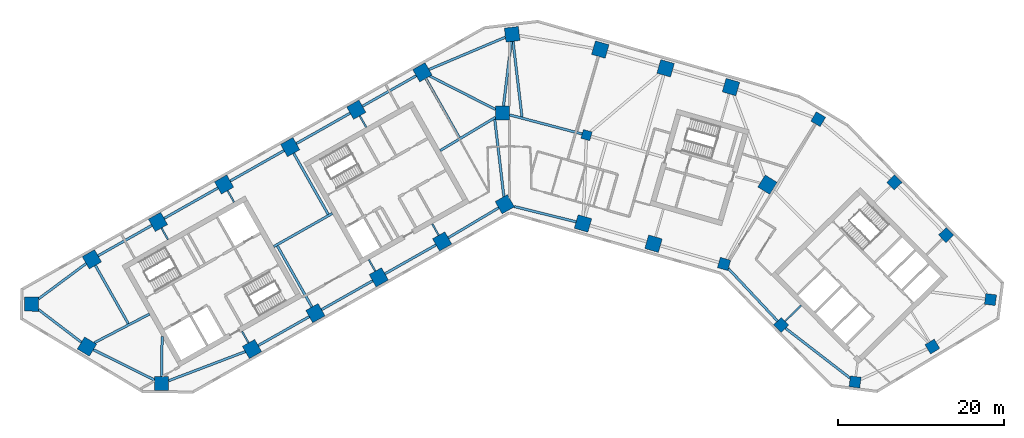
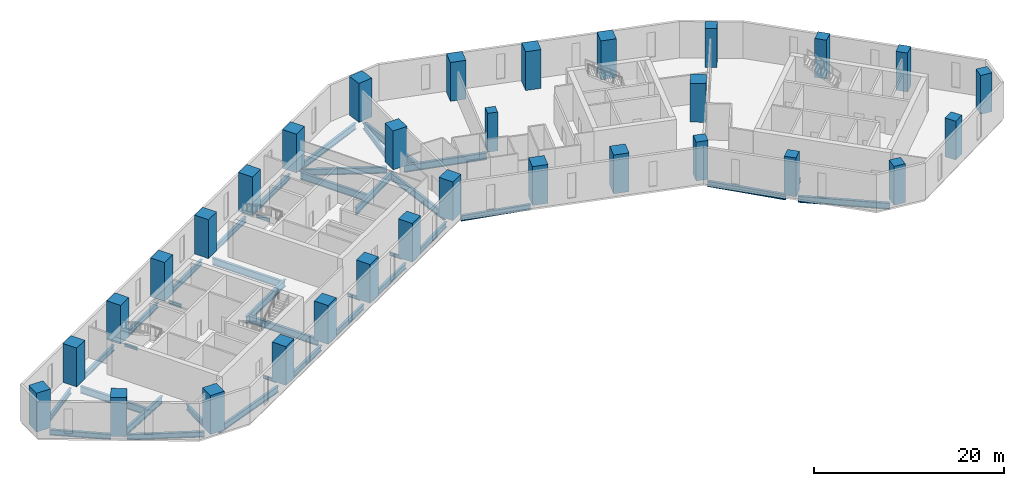
# One storey, part 1 of 10: 37 beams, 31 columns.
"""IFC4 building model written with IfcOpenShell, lengths in metres."""

import ifcopenshell
import ifcopenshell.guid

model = None  # the IFC model being written
_history = None  # IfcOwnerHistory: only IFC2X3 demands one
_inside = {}  # id of a spatial element -> (the spatial element, [elements in it])
_under = {}  # id of a project, library or spatial element -> (it, [spatial elements below it])
_declared = {}  # id of a project -> (the project, [libraries it declares])
_typed = {}  # id of a type object -> (the type object, [elements of that type])
_made_of = {}  # id of a material, layer set ... -> (it, [elements and type objects made of it])


def new_model(schema):
    """Start an empty IFC model of exactly this schema.

    Asked for "IFC4X3", IfcOpenShell would pick the latest addendum, in which some entities
    have other attributes; the version numbers below select the first issue.
    IFC2X3 requires an IfcOwnerHistory on every rooted entity: one is made here for all.
    """
    global model, _history
    if schema == "IFC4X3":
        model = ifcopenshell.file(schema_version=(4, 3, 0, 0))
    else:
        model = ifcopenshell.file(schema=schema)
    _inside.clear()
    _under.clear()
    _declared.clear()
    _typed.clear()
    _made_of.clear()
    _history = None
    if model.schema == "IFC2X3":
        org = make("IfcOrganization", Name="unknown")
        user = make(
            "IfcPersonAndOrganization",
            ThePerson=make("IfcPerson", FamilyName="unknown"),
            TheOrganization=org,
        )
        app = make(
            "IfcApplication",
            ApplicationDeveloper=org,
            Version="unknown",
            ApplicationFullName="unknown",
            ApplicationIdentifier="unknown",
        )
        _history = make(
            "IfcOwnerHistory",
            OwningUser=user,
            OwningApplication=app,
            ChangeAction="ADDED",
            CreationDate=0,
        )
    return model


def make(cls, **values):
    """One entity of the class cls with the attributes given. An attribute that is None is left unset."""
    return model.create_entity(
        cls, **{name: value for name, value in values.items() if value is not None}
    )


def rooted(cls, **values):
    """An entity with a GlobalId (a new one), such as an element, a storey or a relation."""
    return make(cls, GlobalId=ifcopenshell.guid.new(), OwnerHistory=_history, **values)


def si_unit(unit_type, name, prefix=None):
    """IfcSIUnit, for example si_unit("LENGTHUNIT", "METRE", prefix="MILLI")."""
    return make("IfcSIUnit", UnitType=unit_type, Prefix=prefix, Name=name)


def assignment(units):
    """IfcUnitAssignment: the units of a project."""
    return None if units is None else make("IfcUnitAssignment", Units=units)


def point(xyz):
    """IfcCartesianPoint."""
    return None if xyz is None else make("IfcCartesianPoint", Coordinates=xyz)


def direction(xyz):
    """IfcDirection."""
    return None if xyz is None else make("IfcDirection", DirectionRatios=xyz)


def frame(location, z_axis=None, x_axis=None):
    """IfcAxis2Placement3D, a coordinate frame: its origin and axes. An axis left out is left unset."""
    return make(
        "IfcAxis2Placement3D",
        Location=point(location),
        Axis=direction(z_axis),
        RefDirection=direction(x_axis),
    )


def frame_2d(location, x_axis=None):
    """IfcAxis2Placement2D, a coordinate frame in the plane: its origin and x axis."""
    return make(
        "IfcAxis2Placement2D", Location=point(location), RefDirection=direction(x_axis)
    )


def origin():
    """The frame at (0, 0, 0) with its axes left unset."""
    return frame((0.0, 0.0, 0.0))


def origin_2d():
    """The frame at (0, 0) in the plane with its x axis left unset."""
    return frame_2d((0.0, 0.0))


def place(relative_to, where):
    """IfcLocalPlacement: puts the frame where relative to a parent placement (None: the world)."""
    return make(
        "IfcLocalPlacement", PlacementRelTo=relative_to, RelativePlacement=where
    )


def context(
    kind, dimensions, precision=None, world=None, true_north=None, identifier=None
):
    """IfcGeometricRepresentationContext, for example the 3D "Model" context."""
    return make(
        "IfcGeometricRepresentationContext",
        ContextIdentifier=identifier,
        ContextType=kind,
        CoordinateSpaceDimension=dimensions,
        Precision=precision,
        WorldCoordinateSystem=world,
        TrueNorth=true_north,
    )


def subcontext(parent, identifier, kind, view, scale=None):
    """IfcGeometricRepresentationSubContext, for example "Body" below "Model"."""
    return make(
        "IfcGeometricRepresentationSubContext",
        ContextIdentifier=identifier,
        ContextType=kind,
        ParentContext=parent,
        TargetScale=scale,
        TargetView=view,
    )


def project(units=None, contexts=None):
    """IfcProject with its units and contexts."""
    return rooted(
        "IfcProject",
        Name="project",
        RepresentationContexts=contexts,
        UnitsInContext=assignment(units),
    )


def spatial(cls, under=None, at=None, **own):
    """A site, building, storey or space (cls), placed at a placement, below another one or the project."""
    s = rooted(cls, ObjectPlacement=at, **own)
    if under is not None:
        _under.setdefault(under.id(), (under, []))[1].append(s)
    return s


def profile(cls, at=None, kind="AREA", **sizes):
    """A parametric profile (cls). Its sizes go by their IFC names, for example OverallWidth=200.0."""
    return make(cls, ProfileType=kind, Position=at, **sizes)


def rectangle(**sizes):
    """IfcRectangleProfileDef."""
    return profile("IfcRectangleProfileDef", **sizes)


def i_section(**sizes):
    """IfcIShapeProfileDef."""
    return profile("IfcIShapeProfileDef", **sizes)


def extrude(swept, where, along, depth):
    """IfcExtrudedAreaSolid: the profile swept, set in the frame where, extruded along a direction by depth."""
    return make(
        "IfcExtrudedAreaSolid",
        SweptArea=swept,
        Position=where,
        ExtrudedDirection=direction(along),
        Depth=depth,
    )


def shape(context_of_items, identifier, shape_type, items):
    """IfcShapeRepresentation: the items that make up one representation, for example the "Body"."""
    return make(
        "IfcShapeRepresentation",
        ContextOfItems=context_of_items,
        RepresentationIdentifier=identifier,
        RepresentationType=shape_type,
        Items=items,
    )


def material(Name=None, Category=None):
    """IfcMaterial."""
    return make("IfcMaterial", Name=Name, Category=Category)


def material_profile(
    of_material, cross_section, Name=None, Category=None, Priority=None
):
    """IfcMaterialProfile: a cross section and its material."""
    return make(
        "IfcMaterialProfile",
        Name=Name,
        Material=of_material,
        Profile=cross_section,
        Priority=Priority,
        Category=Category,
    )


def profile_set(profiles, Name=None, composite=None):
    """IfcMaterialProfileSet."""
    return make(
        "IfcMaterialProfileSet",
        Name=Name,
        MaterialProfiles=profiles,
        CompositeProfile=composite,
    )


def made_of(thing, what):
    """Note that an element or type object is made of a material, layer set ...; save() writes the relation."""
    if what is not None:
        _made_of.setdefault(what.id(), (what, []))[1].append(thing)
    return thing


def type_object(cls, material=None, **own):
    """A type object (cls), such as IfcWallType, which elements share."""
    return made_of(rooted(cls, **own), material)


def element(
    cls,
    number,
    at=None,
    inside=None,
    cuts=None,
    type_object=None,
    material=None,
    context=None,
    identifier="Body",
    shape_type=None,
    held_by="IfcProductDefinitionShape",
    body=None,
    shapes=None,
    **own,
):
    """One element of the class cls, such as IfcWall. Its Tag is "e" and its number.

    at: its placement. inside: the storey or other place that contains it. cuts: it is an
    opening in that element (IfcRelVoidsElement). A single representation is given by context,
    identifier, shape_type and body (its items); several are given by shapes. held_by: the class
    of the entity that holds the representations. save() writes the other relations.
    """
    e = rooted(cls, Tag="e%d" % number, ObjectPlacement=at, **own)
    if body is not None:
        shapes = [shape(context, identifier, shape_type, body)]
    if shapes is not None:
        e.Representation = make(held_by, Representations=shapes)
    if inside is not None:
        _inside.setdefault(inside.id(), (inside, []))[1].append(e)
    if cuts is not None:
        rooted(
            "IfcRelVoidsElement", RelatingBuildingElement=cuts, RelatedOpeningElement=e
        )
    if type_object is not None:
        _typed.setdefault(type_object.id(), (type_object, []))[1].append(e)
    return made_of(e, material)


def aggregate(whole, parts):
    """IfcRelAggregates: a whole, such as a stair, and the parts it consists of."""
    return rooted("IfcRelAggregates", RelatingObject=whole, RelatedObjects=parts)


def save(model, path):
    """Write the relations noted so far, then the file.

    IfcRelAggregates (storeys below a building ...), IfcRelContainedInSpatialStructure (elements
    in a storey), IfcRelDefinesByType, IfcRelAssociatesMaterial and IfcRelDeclares: one each for
    every whole, place, type object, material and project.
    """
    for whole, parts in _under.values():
        aggregate(whole, parts)
    for where, things in _inside.values():
        rooted(
            "IfcRelContainedInSpatialStructure",
            RelatedElements=things,
            RelatingStructure=where,
        )
    for kind, things in _typed.values():
        rooted("IfcRelDefinesByType", RelatedObjects=things, RelatingType=kind)
    for what, things in _made_of.values():
        rooted("IfcRelAssociatesMaterial", RelatedObjects=things, RelatingMaterial=what)
    for by, libraries in _declared.values():
        rooted("IfcRelDeclares", RelatingContext=by, RelatedDefinitions=libraries)
    model.write(path)


model = new_model("IFC4")

# Units and contexts
model_context = context("Model", 3, precision=1e-05, world=origin(), true_north=direction((0.0, 1.0)))
body_context = subcontext(model_context, "Body", "Model", "MODEL_VIEW")
ifc_project = project(units=[si_unit("LENGTHUNIT", "METRE"), si_unit("AREAUNIT", "SQUARE_METRE"), si_unit("VOLUMEUNIT", "CUBIC_METRE"), si_unit("PLANEANGLEUNIT", "RADIAN"), si_unit("MASSUNIT", "GRAM", prefix="KILO")], contexts=[model_context])

# Site, building, storey
site_placement = place(None, origin())
site = spatial("IfcSite", under=ifc_project, at=site_placement, CompositionType="ELEMENT")
building_placement = place(site_placement, origin())
building = spatial("IfcBuilding", under=site, at=building_placement, Name="Binnacle Exchange Tower", CompositionType="ELEMENT")
storey_placement = place(building_placement, frame((0.0, 0.0, 51.5)))
storey = spatial("IfcBuildingStorey", under=building, at=storey_placement, Name="L10", CompositionType="ELEMENT", Elevation=51.5)

# Columns
ifc_material_1 = material(Name="Concrete C60/75", Category="concrete")
ifc_material_profile_1 = material_profile(ifc_material_1, rectangle(XDim=1.10009765625, YDim=1.10009765625, at=origin_2d()), Name="Column 1100x1100 C60/75")
ifc_profile_set_1 = profile_set([ifc_material_profile_1], Name="Concrete C60/75")
column_type_1 = type_object("IfcColumnType", Name="Column 1100x1100 C60/75", PredefinedType="COLUMN", material=ifc_profile_set_1)
column_placement = place(storey_placement, frame((9.240966796875, 57.35009765625, 0.0), z_axis=(0.0, 0.0, 1.0), x_axis=(0.961261695938, -0.275637355817, 0.0)))
element("IfcColumn", 1, at=column_placement, inside=storey, type_object=column_type_1, Name="S:COL:C19:L10", PredefinedType="COLUMN", context=body_context, shape_type="SweptSolid", body=[
    extrude(rectangle(XDim=1.10009765625, YDim=1.10009765625, at=origin_2d()), origin(), (0.0, 0.0, 1.0), 5.0),
])
ifc_material_2 = material(Name="Concrete C70/85", Category="concrete")
ifc_material_profile_2 = material_profile(ifc_material_2, rectangle(XDim=1.300048828125, YDim=1.300048828125, at=origin_2d()), Name="Mega column 1300x1300 C70/85")
ifc_profile_set_2 = profile_set([ifc_material_profile_2], Name="Concrete C70/85")
column_type_2 = type_object("IfcColumnType", Name="Mega column 1300x1300 C70/85", PredefinedType="COLUMN", material=ifc_profile_set_2)
for number, where, z_axis, x_axis, name in (
    (2, (37.0849609375, 59.262451171875, 0.0), (0.0, 0.0, 1.0), (-0.859406411501, 0.511293086077, 0.0), "S:COL:MC57:L10"),
    (3, (25.766845703125, 41.85986328125, 0.0), (0.0, 0.0, 1.0), (0.961261695938, -0.275637355817, 0.0), "S:COL:MC56:L10"),
    (4, (32.64111328125, 34.530029296875, 0.0), (0.0, 0.0, 1.0), (0.7009092643, -0.713250449154, 0.0), "S:COL:MC59:L10"),
    (5, (41.519775390625, 27.6748046875, 0.0), (0.0, 0.0, 1.0), (0.99200494968, -0.126198969136, 0.0), "S:COL:MC61:L10"),
    (6, (50.81201171875, 31.930908203125, 0.0), (0.0, 0.0, 1.0), (0.857167300702, 0.51503807491, 0.0), "S:COL:MC63:L10"),
    (7, (57.799072265625, 37.5810546875, 0.0), (0.0, 0.0, 1.0), (0.126198969136, 0.99200494968, 0.0), "S:COL:MC62:L10"),
    (8, (52.466796875, 45.33935546875, 0.0), (0.0, 0.0, 1.0), (-0.7009092643, 0.713250449154, 0.0), "S:COL:MC60:L10"),
    (9, (46.248291015625, 51.667236328125, 0.0), (0.0, 0.0, 1.0), (-0.7009092643, 0.713250449154, 0.0), "S:COL:MC58:L10"),
):
    element("IfcColumn", number, at=place(storey_placement, frame(where, z_axis=z_axis, x_axis=x_axis)), inside=storey, type_object=column_type_2, Name=name, PredefinedType="COLUMN", context=body_context, shape_type="SweptSolid", body=[
        extrude(rectangle(XDim=1.300048828125, YDim=1.300048828125, at=origin_2d()), origin(), (0.0, 0.0, 1.0), 5.0),
    ])
ifc_material_profile_3 = material_profile(ifc_material_2, rectangle(XDim=1.699951171875, YDim=1.699951171875, at=origin_2d()), Name="Mega column 1700x1700 C70/85")
ifc_profile_set_3 = profile_set([ifc_material_profile_3], Name="Concrete C70/85")
column_type_3 = type_object("IfcColumnType", Name="Mega column 1700x1700 C70/85", PredefinedType="COLUMN", material=ifc_profile_set_3)
for number, where, z_axis, x_axis, name in (
    (10, (26.602783203125, 63.12353515625, 0.0), (0.0, 0.0, 1.0), (-0.961261695938, 0.275637355817, 0.0), "S:COL:MC52:L10"),
    (11, (18.746337890625, 65.376220703125, 0.0), (0.0, 0.0, 1.0), (-0.961261695938, 0.275637355817, 0.0), "S:COL:MC50:L10"),
    (12, (10.889892578125, 67.62890625, 0.0), (0.0, 0.0, 1.0), (-0.961261695938, 0.275637355817, 0.0), "S:COL:MC48:L10"),
    (13, (0.300048828125, 69.464111328125, 0.0), (0.0, 0.0, 1.0), (-0.993068456955, -0.117537397458, 0.0), "S:COL:MC47:L10"),
    (14, (-10.4951171875, 64.901611328125, 0.0), (0.0, 0.0, 1.0), (-0.87035569594, -0.492423560103, 0.0), "S:COL:MC38:L10"),
    (15, (-18.44140625, 60.406005859375, 0.0), (0.0, 0.0, 1.0), (-0.87035569594, -0.492423560103, 0.0), "S:COL:MC29:L10"),
    (16, (-26.3876953125, 55.91015625, 0.0), (0.0, 0.0, 1.0), (-0.87035569594, -0.492423560103, 0.0), "S:COL:MC21:L10"),
    (17, (-34.333740234375, 51.414306640625, 0.0), (0.0, 0.0, 1.0), (-0.87035569594, -0.492423560103, 0.0), "S:COL:MC13:L10"),
    (18, (-42.280029296875, 46.918701171875, 0.0), (0.0, 0.0, 1.0), (-0.87035569594, -0.492423560103, 0.0), "S:COL:MC08:L10"),
    (19, (-50.226318359375, 42.4228515625, 0.0), (0.0, 0.0, 1.0), (-0.87035569594, -0.492423560103, 0.0), "S:COL:MC04:L10"),
    (20, (-57.492919921875, 37.02734375, 0.0), (0.0, 0.0, 1.0), (-0.013089595571, -0.999914327574, 0.0), "S:COL:MC02:L10"),
    (21, (-50.81201171875, 31.930908203125, 0.0), (0.0, 0.0, 1.0), (0.857167300702, -0.51503807491, 0.0), "S:COL:MC01:L10"),
    (22, (-41.857666015625, 27.494873046875, 0.0), (0.0, 0.0, 1.0), (0.999914327574, -0.013089595571, 0.0), "S:COL:MC03:L10"),
    (23, (-30.9755859375, 31.63525390625, 0.0), (0.0, 0.0, 1.0), (0.87035569594, 0.492423560103, 0.0), "S:COL:MC07:L10"),
    (24, (-23.35595703125, 35.9462890625, 0.0), (0.0, 0.0, 1.0), (0.87035569594, 0.492423560103, 0.0), "S:COL:MC16:L10"),
    (25, (-15.736328125, 40.257080078125, 0.0), (0.0, 0.0, 1.0), (0.87035569594, 0.492423560103, 0.0), "S:COL:MC24:L10"),
    (26, (-8.116943359375, 44.568115234375, 0.0), (0.0, 0.0, 1.0), (0.87035569594, 0.492423560103, 0.0), "S:COL:MC35:L10"),
    (27, (-0.5908203125, 49.04443359375, 0.0), (0.0, 0.0, 1.0), (0.87035569594, 0.492423560103, 0.0), "S:COL:MC46:L10"),
    (28, (8.8095703125, 46.722412109375, 0.0), (0.0, 0.0, 1.0), (0.961261695938, -0.275637355817, 0.0), "S:COL:MC49:L10"),
    (29, (17.2880859375, 44.291015625, 0.0), (0.0, 0.0, 1.0), (0.961261695938, -0.275637355817, 0.0), "S:COL:MC51:L10"),
    (30, (30.989501953125, 51.38623046875, 0.0), (0.0, 0.0, 1.0), (0.529919264233, 0.848048096156, 0.0), "S:COL:MC55:L10"),
    (31, (-0.85009765625, 60.0, 0.0), (0.0, 0.0, 1.0), (0.0, 1.0, 0.0), "S:COL:MC45:L10"),
):
    element("IfcColumn", number, at=place(storey_placement, frame(where, z_axis=z_axis, x_axis=x_axis)), inside=storey, type_object=column_type_3, Name=name, PredefinedType="COLUMN", context=body_context, shape_type="SweptSolid", body=[
        extrude(rectangle(XDim=1.699951171875, YDim=1.699951171875, at=origin_2d()), origin(), (0.0, 0.0, 1.0), 5.0),
    ])

# Beams
ifc_material_3 = material(Name="Steel S355 (SHN355)", Category="steel")
ifc_material_profile_4 = material_profile(ifc_material_3, i_section(OverallWidth=0.300048828125, OverallDepth=0.699951171875, WebThickness=0.012939453125, FlangeThickness=0.02392578125, FilletRadius=0.028076171875, at=origin_2d()), Name="H 700x300x13x24")
ifc_profile_set_4 = profile_set([ifc_material_profile_4], Name="Steel S355 (SHN355)")
beam_type_1 = type_object("IfcBeamType", Name="Edge girder H 700x300x13x24 Steel S355 (SHN355)", PredefinedType="SPANDREL", material=ifc_profile_set_4)
beam_1_placement = place(storey_placement, frame((-56.6513671875, 36.38525390625, -0.669921875), z_axis=(0.795093040263, -0.606487474994, 0.0), x_axis=(0.606487474994, 0.795093040263, 0.0)))
element("IfcBeam", 32, at=beam_1_placement, inside=storey, type_object=beam_type_1, Name="S:BM:edge:L10:015", PredefinedType="SPANDREL", context=body_context, shape_type="SweptSolid", body=[
    extrude(i_section(OverallWidth=0.300048828125, OverallDepth=0.699951171875, WebThickness=0.012939453125, FlangeThickness=0.02392578125, FilletRadius=0.028076171875, at=origin_2d()), origin(), (0.0, 0.0, 1.0), 6.489013671875),
])
beam_2_placement = place(storey_placement, frame((-50.913818359375, 41.912353515625, -0.669921875), z_axis=(-0.80288535334, -0.59613346609, 0.0), x_axis=(0.59613346609, -0.80288535334, 0.0)))
element("IfcBeam", 33, at=beam_2_placement, inside=storey, type_object=beam_type_1, Name="S:BM:edge:L10:016", PredefinedType="SPANDREL", context=body_context, shape_type="SweptSolid", body=[
    extrude(i_section(OverallWidth=0.300048828125, OverallDepth=0.699951171875, WebThickness=0.012939453125, FlangeThickness=0.02392578125, FilletRadius=0.028076171875, at=origin_2d()), origin(), (0.0, 0.0, 1.0), 7.125244140625),
])
beam_3_placement = place(storey_placement, frame((-43.019775390625, 46.5, -0.669921875), z_axis=(-0.870364477798, -0.492408037898, 0.0), x_axis=(0.492408037898, -0.870364477798, 0.0)))
element("IfcBeam", 34, at=beam_3_placement, inside=storey, type_object=beam_type_1, Name="S:BM:edge:L10:018", PredefinedType="SPANDREL", context=body_context, shape_type="SweptSolid", body=[
    extrude(i_section(OverallWidth=0.300048828125, OverallDepth=0.699951171875, WebThickness=0.012939453125, FlangeThickness=0.02392578125, FilletRadius=0.028076171875, at=origin_2d()), origin(), (0.0, 0.0, 1.0), 7.4296875),
])
beam_4_placement = place(storey_placement, frame((-35.073486328125, 50.995849609375, -0.669921875), z_axis=(-0.870372444894, -0.492393955253, 0.0), x_axis=(0.492393955253, -0.870372444894, 0.0)))
element("IfcBeam", 35, at=beam_4_placement, inside=storey, type_object=beam_type_1, Name="S:BM:edge:L10:020", PredefinedType="SPANDREL", context=body_context, shape_type="SweptSolid", body=[
    extrude(i_section(OverallWidth=0.300048828125, OverallDepth=0.699951171875, WebThickness=0.012939453125, FlangeThickness=0.02392578125, FilletRadius=0.028076171875, at=origin_2d()), origin(), (0.0, 0.0, 1.0), 7.429931640625),
])
beam_5_placement = place(storey_placement, frame((-30.23583984375, 32.053955078125, -0.669921875), z_axis=(0.870373276953, 0.492392484473, 0.0), x_axis=(-0.492392484473, 0.870373276953, 0.0)))
element("IfcBeam", 36, at=beam_5_placement, inside=storey, type_object=beam_type_1, Name="S:BM:edge:L10:021", PredefinedType="SPANDREL", context=body_context, shape_type="SweptSolid", body=[
    extrude(i_section(OverallWidth=0.300048828125, OverallDepth=0.699951171875, WebThickness=0.012939453125, FlangeThickness=0.02392578125, FilletRadius=0.028076171875, at=origin_2d()), origin(), (0.0, 0.0, 1.0), 7.0546875),
])
beam_6_placement = place(storey_placement, frame((-27.12744140625, 55.49169921875, -0.669921875), z_axis=(-0.870350394687, -0.492432929919, 0.0), x_axis=(0.492432929919, -0.870350394687, 0.0)))
element("IfcBeam", 37, at=beam_6_placement, inside=storey, type_object=beam_type_1, Name="S:BM:edge:L10:022", PredefinedType="SPANDREL", context=body_context, shape_type="SweptSolid", body=[
    extrude(i_section(OverallWidth=0.300048828125, OverallDepth=0.699951171875, WebThickness=0.012939453125, FlangeThickness=0.02392578125, FilletRadius=0.028076171875, at=origin_2d()), origin(), (0.0, 0.0, 1.0), 7.429931640625),
])
beam_7_placement = place(storey_placement, frame((-22.6162109375, 36.36474609375, -0.669921875), z_axis=(0.870350053651, 0.492433532681, 0.0), x_axis=(-0.492433532681, 0.870350053651, 0.0)))
element("IfcBeam", 38, at=beam_7_placement, inside=storey, type_object=beam_type_1, Name="S:BM:edge:L10:023", PredefinedType="SPANDREL", context=body_context, shape_type="SweptSolid", body=[
    extrude(i_section(OverallWidth=0.300048828125, OverallDepth=0.699951171875, WebThickness=0.012939453125, FlangeThickness=0.02392578125, FilletRadius=0.028076171875, at=origin_2d()), origin(), (0.0, 0.0, 1.0), 7.054443359375),
])
beam_8_placement = place(storey_placement, frame((-19.18115234375, 59.9873046875, -0.669921875), z_axis=(-0.870364477798, -0.492408037898, 0.0), x_axis=(0.492408037898, -0.870364477798, 0.0)))
element("IfcBeam", 39, at=beam_8_placement, inside=storey, type_object=beam_type_1, Name="S:BM:edge:L10:024", PredefinedType="SPANDREL", context=body_context, shape_type="SweptSolid", body=[
    extrude(i_section(OverallWidth=0.300048828125, OverallDepth=0.699951171875, WebThickness=0.012939453125, FlangeThickness=0.02392578125, FilletRadius=0.028076171875, at=origin_2d()), origin(), (0.0, 0.0, 1.0), 7.4296875),
])
beam_9_placement = place(storey_placement, frame((-14.99658203125, 40.67578125, -0.669921875), z_axis=(0.870364886025, 0.492407316329, 0.0), x_axis=(-0.492407316329, 0.870364886025, 0.0)))
element("IfcBeam", 40, at=beam_9_placement, inside=storey, type_object=beam_type_1, Name="S:BM:edge:L10:025", PredefinedType="SPANDREL", context=body_context, shape_type="SweptSolid", body=[
    extrude(i_section(OverallWidth=0.300048828125, OverallDepth=0.699951171875, WebThickness=0.012939453125, FlangeThickness=0.02392578125, FilletRadius=0.028076171875, at=origin_2d()), origin(), (0.0, 0.0, 1.0), 7.054443359375),
])
beam_10_placement = place(storey_placement, frame((-11.23486328125, 64.483154296875, -0.669921875), z_axis=(-0.870364477798, -0.492408037898, 0.0), x_axis=(0.492408037898, -0.870364477798, 0.0)))
element("IfcBeam", 41, at=beam_10_placement, inside=storey, type_object=beam_type_1, Name="S:BM:edge:L10:026", PredefinedType="SPANDREL", context=body_context, shape_type="SweptSolid", body=[
    extrude(i_section(OverallWidth=0.300048828125, OverallDepth=0.699951171875, WebThickness=0.012939453125, FlangeThickness=0.02392578125, FilletRadius=0.028076171875, at=origin_2d()), origin(), (0.0, 0.0, 1.0), 7.4296875),
])
beam_11_placement = place(storey_placement, frame((-7.38623046875, 45.002685546875, -0.669921875), z_axis=(0.859464815262, 0.511194905419, 0.0), x_axis=(-0.511194905419, 0.859464815262, 0.0)))
element("IfcBeam", 42, at=beam_11_placement, inside=storey, type_object=beam_type_1, Name="S:BM:edge:L10:027", PredefinedType="SPANDREL", context=body_context, shape_type="SweptSolid", body=[
    extrude(i_section(OverallWidth=0.300048828125, OverallDepth=0.699951171875, WebThickness=0.012939453125, FlangeThickness=0.02392578125, FilletRadius=0.028076171875, at=origin_2d()), origin(), (0.0, 0.0, 1.0), 7.056396484375),
])
beam_12_placement = place(storey_placement, frame((0.54443359375, 48.763916015625, -0.669921875), z_axis=(0.970818997342, -0.239813415805, 0.0), x_axis=(0.239813415805, 0.970818997342, 0.0)))
element("IfcBeam", 43, at=beam_12_placement, inside=storey, type_object=beam_type_1, Name="S:BM:edge:L10:029", PredefinedType="SPANDREL", context=body_context, shape_type="SweptSolid", body=[
    extrude(i_section(OverallWidth=0.300048828125, OverallDepth=0.699951171875, WebThickness=0.012939453125, FlangeThickness=0.02392578125, FilletRadius=0.028076171875, at=origin_2d()), origin(), (0.0, 0.0, 1.0), 7.662841796875),
])
ifc_material_profile_5 = material_profile(ifc_material_3, i_section(OverallWidth=0.302001953125, OverallDepth=0.7080078125, WebThickness=0.014892578125, FlangeThickness=0.028076171875, FilletRadius=0.028076171875, at=origin_2d()), Name="H 708x302x15x28")
ifc_profile_set_5 = profile_set([ifc_material_profile_5], Name="Steel S355 (SHN355)")
beam_type_2 = type_object("IfcBeamType", Name="Edge girder H 708x302x15x28 Steel S355 (SHN355)", PredefinedType="SPANDREL", material=ifc_profile_set_5)
beam_13_placement = place(storey_placement, frame((-50.0478515625, 31.55224609375, -0.674072265625), z_axis=(0.896059216286, -0.443934545749, 0.0), x_axis=(0.443934545749, 0.896059216286, 0.0)))
element("IfcBeam", 44, at=beam_13_placement, inside=storey, type_object=beam_type_2, Name="S:BM:edge:L10:017", PredefinedType="SPANDREL", context=body_context, shape_type="SweptSolid", body=[
    extrude(i_section(OverallWidth=0.302001953125, OverallDepth=0.7080078125, WebThickness=0.014892578125, FlangeThickness=0.028076171875, FilletRadius=0.028076171875, at=origin_2d()), origin(), (0.0, 0.0, 1.0), 8.197509765625),
])
beam_14_placement = place(storey_placement, frame((26.284912109375, 41.3076171875, -0.674072265625), z_axis=(0.684056711164, -0.729428828544, 0.0), x_axis=(0.729428828544, 0.684056711164, 0.0)))
element("IfcBeam", 45, at=beam_14_placement, inside=storey, type_object=beam_type_2, Name="S:BM:edge:L10:035", PredefinedType="SPANDREL", context=body_context, shape_type="SweptSolid", body=[
    extrude(i_section(OverallWidth=0.302001953125, OverallDepth=0.7080078125, WebThickness=0.014892578125, FlangeThickness=0.028076171875, FilletRadius=0.028076171875, at=origin_2d()), origin(), (0.0, 0.0, 1.0), 8.6416015625),
])
ifc_material_profile_6 = material_profile(ifc_material_3, i_section(OverallWidth=0.302001953125, OverallDepth=0.80810546875, WebThickness=0.01611328125, FlangeThickness=0.030029296875, FilletRadius=0.028076171875, at=origin_2d()), Name="H 808x302x16x30")
ifc_profile_set_6 = profile_set([ifc_material_profile_6], Name="Steel S355 (SHN355)")
beam_type_3 = type_object("IfcBeamType", Name="Edge girder H 808x302x16x30 Steel S355 (SHN355)", PredefinedType="SPANDREL", material=ifc_profile_set_6)
beam_15_placement = place(storey_placement, frame((-41.00341796875, 27.81982421875, -0.72412109375), z_axis=(0.934628738252, 0.355624973297, 0.0), x_axis=(-0.355624973297, 0.934628738252, 0.0)))
element("IfcBeam", 46, at=beam_15_placement, inside=storey, type_object=beam_type_3, Name="S:BM:edge:L10:019", PredefinedType="SPANDREL", context=body_context, shape_type="SweptSolid", body=[
    extrude(i_section(OverallWidth=0.302001953125, OverallDepth=0.80810546875, WebThickness=0.01611328125, FlangeThickness=0.030029296875, FilletRadius=0.028076171875, at=origin_2d()), origin(), (0.0, 0.0, 1.0), 9.869384765625),
])
beam_16_placement = place(storey_placement, frame((-0.51513671875, 69.11962890625, -0.72412109375), z_axis=(-0.921111373297, -0.389299162578, 0.0), x_axis=(0.389299162578, -0.921111373297, 0.0)))
element("IfcBeam", 47, at=beam_16_placement, inside=storey, type_object=beam_type_3, Name="S:BM:edge:L10:028", PredefinedType="SPANDREL", context=body_context, shape_type="SweptSolid", body=[
    extrude(i_section(OverallWidth=0.302001953125, OverallDepth=0.80810546875, WebThickness=0.01611328125, FlangeThickness=0.030029296875, FilletRadius=0.028076171875, at=origin_2d()), origin(), (0.0, 0.0, 1.0), 9.978759765625),
])
beam_17_placement = place(storey_placement, frame((33.160400390625, 34.12890625, -0.72412109375), z_axis=(0.791533490776, -0.611125791454, 0.0), x_axis=(0.611125791454, 0.791533490776, 0.0)))
element("IfcBeam", 48, at=beam_17_placement, inside=storey, type_object=beam_type_3, Name="S:BM:edge:L10:036", PredefinedType="SPANDREL", context=body_context, shape_type="SweptSolid", body=[
    extrude(i_section(OverallWidth=0.302001953125, OverallDepth=0.80810546875, WebThickness=0.01611328125, FlangeThickness=0.030029296875, FilletRadius=0.028076171875, at=origin_2d()), origin(), (0.0, 0.0, 1.0), 9.80712890625),
])
ifc_material_profile_7 = material_profile(ifc_material_3, i_section(OverallWidth=0.199951171875, OverallDepth=0.39990234375, WebThickness=0.008056640625, FlangeThickness=0.012939453125, FilletRadius=0.01611328125, at=origin_2d()), Name="H 400x200x8x13")
ifc_profile_set_7 = profile_set([ifc_material_profile_7], Name="Steel S355 (SHN355)")
beam_type_4 = type_object("IfcBeamType", Name="Floor beam H 400x200x8x13 Steel S355 (SHN355)", PredefinedType="BEAM", material=ifc_profile_set_7)
beam_18_placement = place(storey_placement, frame((-41.861328125, 46.178955078125, -0.52001953125), z_axis=(0.492366981934, -0.870387703901, 0.0), x_axis=(0.870387703901, 0.492366981934, 0.0)))
element("IfcBeam", 49, at=beam_18_placement, inside=storey, type_object=beam_type_4, Name="S:BM:cross:L10:044", PredefinedType="BEAM", context=body_context, shape_type="SweptSolid", body=[
    extrude(i_section(OverallWidth=0.199951171875, OverallDepth=0.39990234375, WebThickness=0.008056640625, FlangeThickness=0.012939453125, FilletRadius=0.01611328125, at=origin_2d()), origin(), (0.0, 0.0, 1.0), 1.584228515625),
])
beam_19_placement = place(storey_placement, frame((-33.915283203125, 50.674560546875, -0.52001953125), z_axis=(0.492483715062, -0.870321659158, 0.0), x_axis=(0.870321659158, 0.492483715062, 0.0)))
element("IfcBeam", 50, at=beam_19_placement, inside=storey, type_object=beam_type_4, Name="S:BM:cross:L10:046", PredefinedType="BEAM", context=body_context, shape_type="SweptSolid", body=[
    extrude(i_section(OverallWidth=0.199951171875, OverallDepth=0.39990234375, WebThickness=0.008056640625, FlangeThickness=0.012939453125, FilletRadius=0.01611328125, at=origin_2d()), origin(), (0.0, 0.0, 1.0), 1.58447265625),
])
for number, where, z_axis, x_axis, name in (
    (51, (-31.394287109375, 32.375, -0.52001953125), (-0.492366981934, 0.870387703901, 0.0), (-0.870387703901, -0.492366981934, 0.0), "S:BM:cross:L10:047"),
    (52, (-18.022705078125, 59.666259765625, -0.52001953125), (0.492366981934, -0.870387703901, 0.0), (0.870387703901, 0.492366981934, 0.0), "S:BM:cross:L10:050"),
    (53, (-16.155029296875, 40.9970703125, -0.52001953125), (-0.492366981934, 0.870387703901, 0.0), (-0.870387703901, -0.492366981934, 0.0), "S:BM:cross:L10:051"),
):
    element("IfcBeam", number, at=place(storey_placement, frame(where, z_axis=z_axis, x_axis=x_axis)), inside=storey, type_object=beam_type_4, Name=name, PredefinedType="BEAM", context=body_context, shape_type="SweptSolid", body=[
        extrude(i_section(OverallWidth=0.199951171875, OverallDepth=0.39990234375, WebThickness=0.008056640625, FlangeThickness=0.012939453125, FilletRadius=0.01611328125, at=origin_2d()), origin(), (0.0, 0.0, 1.0), 1.584228515625),
    ])
beam_20_placement = place(storey_placement, frame((-8.535400390625, 45.307861328125, -0.52001953125), z_axis=(-0.492483715062, 0.870321659158, 0.0), x_axis=(-0.870321659158, -0.492483715062, 0.0)))
element("IfcBeam", 54, at=beam_20_placement, inside=storey, type_object=beam_type_4, Name="S:BM:cross:L10:053", PredefinedType="BEAM", context=body_context, shape_type="SweptSolid", body=[
    extrude(i_section(OverallWidth=0.199951171875, OverallDepth=0.39990234375, WebThickness=0.008056640625, FlangeThickness=0.012939453125, FilletRadius=0.01611328125, at=origin_2d()), origin(), (0.0, 0.0, 1.0), 1.58447265625),
])
ifc_material_profile_8 = material_profile(ifc_material_3, i_section(OverallWidth=0.199951171875, OverallDepth=0.449951171875, WebThickness=0.009033203125, FlangeThickness=0.013916015625, FilletRadius=0.01806640625, at=origin_2d()), Name="H 450x200x9x14")
ifc_profile_set_8 = profile_set([ifc_material_profile_8], Name="Steel S355 (SHN355)")
beam_type_5 = type_object("IfcBeamType", Name="Floor beam H 450x200x9x14 Steel S355 (SHN355)", PredefinedType="BEAM", material=ifc_profile_set_8)
beam_21_placement = place(storey_placement, frame((33.104736328125, 34.985595703125, -0.544921875), z_axis=(0.713254209224, 0.700905438004, 0.0), x_axis=(-0.700905438004, 0.713254209224, 0.0)))
element("IfcBeam", 55, at=beam_21_placement, inside=storey, type_object=beam_type_5, Name="S:BM:cross:L10:061", PredefinedType="BEAM", context=body_context, shape_type="SweptSolid", body=[
    extrude(i_section(OverallWidth=0.199951171875, OverallDepth=0.449951171875, WebThickness=0.009033203125, FlangeThickness=0.013916015625, FilletRadius=0.01806640625, at=origin_2d()), origin(), (0.0, 0.0, 1.0), 2.70849609375),
])
ifc_material_profile_9 = material_profile(ifc_material_3, i_section(OverallWidth=0.300048828125, OverallDepth=0.699951171875, WebThickness=0.012939453125, FlangeThickness=0.02392578125, FilletRadius=0.028076171875, at=origin_2d()), Name="H 700x300x13x24")
ifc_profile_set_9 = profile_set([ifc_material_profile_9], Name="Steel S355 (SHN355)")
beam_type_6 = type_object("IfcBeamType", Name="Floor beam H 700x300x13x24 Steel S355 (SHN355)", PredefinedType="BEAM", material=ifc_profile_set_9)
beam_22_placement = place(storey_placement, frame((-41.8466796875, 28.3447265625, -0.669921875), z_axis=(0.013120628196, 0.999913920853, 0.0), x_axis=(-0.999913920853, 0.013120628196, 0.0)))
element("IfcBeam", 56, at=beam_22_placement, inside=storey, type_object=beam_type_6, Name="S:BM:cross:L10:045", PredefinedType="BEAM", context=body_context, shape_type="SweptSolid", body=[
    extrude(i_section(OverallWidth=0.300048828125, OverallDepth=0.699951171875, WebThickness=0.012939453125, FlangeThickness=0.02392578125, FilletRadius=0.028076171875, at=origin_2d()), origin(), (0.0, 0.0, 1.0), 4.80078125),
])
ifc_material_profile_10 = material_profile(ifc_material_3, i_section(OverallWidth=0.300048828125, OverallDepth=0.89990234375, WebThickness=0.01611328125, FlangeThickness=0.028076171875, FilletRadius=0.028076171875, at=origin_2d()), Name="H 900x300x16x28")
ifc_profile_set_10 = profile_set([ifc_material_profile_10], Name="Steel S355 (SHN355)")
beam_type_7 = type_object("IfcBeamType", Name="Floor beam H 900x300x16x28 Steel S355 (SHN355)", PredefinedType="BEAM", material=ifc_profile_set_10)
beam_23_placement = place(storey_placement, frame((-49.8076171875, 41.68310546875, -0.77001953125), z_axis=(0.492423370769, -0.87035580306, 0.0), x_axis=(0.87035580306, 0.492423370769, 0.0)))
element("IfcBeam", 57, at=beam_23_placement, inside=storey, type_object=beam_type_7, Name="S:BM:cross:L10:043", PredefinedType="BEAM", context=body_context, shape_type="SweptSolid", body=[
    extrude(i_section(OverallWidth=0.300048828125, OverallDepth=0.89990234375, WebThickness=0.01611328125, FlangeThickness=0.028076171875, FilletRadius=0.028076171875, at=origin_2d()), origin(), (0.0, 0.0, 1.0), 8.041259765625),
])
beam_24_placement = place(storey_placement, frame((-10.076416015625, 64.161865234375, -0.77001953125), z_axis=(0.492410737926, -0.870362950254, 0.0), x_axis=(0.870362950254, 0.492410737926, 0.0)))
element("IfcBeam", 58, at=beam_24_placement, inside=storey, type_object=beam_type_7, Name="S:BM:cross:L10:052", PredefinedType="BEAM", context=body_context, shape_type="SweptSolid", body=[
    extrude(i_section(OverallWidth=0.300048828125, OverallDepth=0.89990234375, WebThickness=0.01611328125, FlangeThickness=0.028076171875, FilletRadius=0.028076171875, at=origin_2d()), origin(), (0.0, 0.0, 1.0), 8.16943359375),
])
ifc_material_profile_11 = material_profile(ifc_material_3, i_section(OverallWidth=0.302001953125, OverallDepth=0.912109375, WebThickness=0.01806640625, FlangeThickness=0.033935546875, FilletRadius=0.028076171875, at=origin_2d()), Name="H 912x302x18x34")
ifc_profile_set_11 = profile_set([ifc_material_profile_11], Name="Steel S355 (SHN355)")
beam_type_8 = type_object("IfcBeamType", Name="Floor beam H 912x302x18x34 Steel S355 (SHN355)", PredefinedType="BEAM", material=ifc_profile_set_11)
for number, where, z_axis, x_axis, name in (
    (59, (-25.968994140625, 55.17041015625, -0.77587890625), (0.492409177884, -0.870363832851, 0.0), (0.870363832851, 0.492409177884, 0.0), "S:BM:cross:L10:048"),
    (60, (-23.774658203125, 36.68603515625, -0.77587890625), (-0.492409177884, 0.870363832851, 0.0), (-0.870363832851, -0.492409177884, 0.0), "S:BM:cross:L10:049"),
):
    element("IfcBeam", number, at=place(storey_placement, frame(where, z_axis=z_axis, x_axis=x_axis)), inside=storey, type_object=beam_type_8, Name=name, PredefinedType="BEAM", context=body_context, shape_type="SweptSolid", body=[
        extrude(i_section(OverallWidth=0.302001953125, OverallDepth=0.912109375, WebThickness=0.01806640625, FlangeThickness=0.033935546875, FilletRadius=0.028076171875, at=origin_2d()), origin(), (0.0, 0.0, 1.0), 8.43408203125),
    ])
ifc_material_profile_12 = material_profile(ifc_material_3, i_section(OverallWidth=0.302978515625, OverallDepth=0.91796875, WebThickness=0.01904296875, FlangeThickness=0.037109375, FilletRadius=0.028076171875, at=origin_2d()), Name="H 918x303x19x37")
ifc_profile_set_12 = profile_set([ifc_material_profile_12], Name="Steel S355 (SHN355)")
beam_type_9 = type_object("IfcBeamType", Name="Floor beam H 918x303x19x37 Steel S355 (SHN355)", PredefinedType="BEAM", material=ifc_profile_set_12)
beam_25_placement = place(storey_placement, frame((-0.69921875, 49.959716796875, -0.779052734375), z_axis=(-0.117528717449, 0.993069484263, 0.0), x_axis=(-0.993069484263, -0.117528717449, 0.0)))
element("IfcBeam", 61, at=beam_25_placement, inside=storey, type_object=beam_type_9, Name="S:BM:cross:L10:054", PredefinedType="BEAM", context=body_context, shape_type="SweptSolid", body=[
    extrude(i_section(OverallWidth=0.302978515625, OverallDepth=0.91796875, WebThickness=0.01904296875, FlangeThickness=0.037109375, FilletRadius=0.028076171875, at=origin_2d()), origin(), (0.0, 0.0, 1.0), 9.374755859375),
])
beam_26_placement = place(storey_placement, frame((0.39990234375, 68.6201171875, -0.779052734375), z_axis=(0.117562643201, -0.993065468599, 0.0), x_axis=(0.993065468599, 0.117562643201, 0.0)))
element("IfcBeam", 62, at=beam_26_placement, inside=storey, type_object=beam_type_9, Name="S:BM:cross:L10:055", PredefinedType="BEAM", context=body_context, shape_type="SweptSolid", body=[
    extrude(i_section(OverallWidth=0.302978515625, OverallDepth=0.91796875, WebThickness=0.01904296875, FlangeThickness=0.037109375, FilletRadius=0.028076171875, at=origin_2d()), origin(), (0.0, 0.0, 1.0), 9.14990234375),
])
ifc_material_profile_13 = material_profile(ifc_material_3, i_section(OverallWidth=0.302001953125, OverallDepth=0.7080078125, WebThickness=0.014892578125, FlangeThickness=0.028076171875, FilletRadius=0.028076171875, at=origin_2d()), Name="H 708x302x15x28")
ifc_profile_set_13 = profile_set([ifc_material_profile_13], Name="Steel S355 (SHN355)")
beam_type_10 = type_object("IfcBeamType", Name="Spine girder H 708x302x15x28 Steel S355 (SHN355)", PredefinedType="BEAM", material=ifc_profile_set_13)
beam_27_placement = place(storey_placement, frame((-0.74658203125, 60.85009765625, -0.674072265625), z_axis=(0.120621974738, 0.992698513755, 0.0), x_axis=(-0.992698513755, 0.120621974738, 0.0)))
element("IfcBeam", 63, at=beam_27_placement, inside=storey, type_object=beam_type_10, Name="S:BM:spine:L10:005", PredefinedType="BEAM", context=body_context, shape_type="SweptSolid", body=[
    extrude(i_section(OverallWidth=0.302001953125, OverallDepth=0.7080078125, WebThickness=0.014892578125, FlangeThickness=0.028076171875, FilletRadius=0.028076171875, at=origin_2d()), origin(), (0.0, 0.0, 1.0), 7.802490234375),
])
ifc_material_profile_14 = material_profile(ifc_material_3, i_section(OverallWidth=0.302001953125, OverallDepth=0.80810546875, WebThickness=0.01611328125, FlangeThickness=0.030029296875, FilletRadius=0.028076171875, at=origin_2d()), Name="H 808x302x16x30")
ifc_profile_set_14 = profile_set([ifc_material_profile_14], Name="Steel S355 (SHN355)")
beam_type_11 = type_object("IfcBeamType", Name="Spine girder H 808x302x16x30 Steel S355 (SHN355)", PredefinedType="BEAM", material=ifc_profile_set_14)
beam_28_placement = place(storey_placement, frame((-1.699951171875, 60.431884765625, -0.72412109375), z_axis=(-0.891471296315, 0.45307717648, 0.0), x_axis=(-0.45307717648, -0.891471296315, 0.0)))
element("IfcBeam", 64, at=beam_28_placement, inside=storey, type_object=beam_type_11, Name="S:BM:spine:L10:004", PredefinedType="BEAM", context=body_context, shape_type="SweptSolid", body=[
    extrude(i_section(OverallWidth=0.302001953125, OverallDepth=0.80810546875, WebThickness=0.01611328125, FlangeThickness=0.030029296875, FilletRadius=0.028076171875, at=origin_2d()), origin(), (0.0, 0.0, 1.0), 8.845703125),
])
ifc_material_profile_15 = material_profile(ifc_material_3, i_section(OverallWidth=0.300048828125, OverallDepth=0.89990234375, WebThickness=0.01611328125, FlangeThickness=0.028076171875, FilletRadius=0.028076171875, at=origin_2d()), Name="H 900x300x16x28")
ifc_profile_set_15 = profile_set([ifc_material_profile_15], Name="Steel S355 (SHN355)")
beam_type_12 = type_object("IfcBeamType", Name="Spine girder H 900x300x16x28 Steel S355 (SHN355)", PredefinedType="BEAM", material=ifc_profile_set_15)
beam_29_placement = place(storey_placement, frame((-49.927734375, 32.391357421875, -0.77001953125), z_axis=(0.886979965344, 0.461807904954, 0.0), x_axis=(-0.461807904954, 0.886979965344, 0.0)))
element("IfcBeam", 65, at=beam_29_placement, inside=storey, type_object=beam_type_12, Name="S:BM:spine:L10:001", PredefinedType="BEAM", context=body_context, shape_type="SweptSolid", body=[
    extrude(i_section(OverallWidth=0.300048828125, OverallDepth=0.89990234375, WebThickness=0.01611328125, FlangeThickness=0.028076171875, FilletRadius=0.028076171875, at=origin_2d()), origin(), (0.0, 0.0, 1.0), 7.463623046875),
])
beam_30_placement = place(storey_placement, frame((-8.36328125, 55.489990234375, -0.77001953125), z_axis=(0.857393122678, 0.514662057261, 0.0), x_axis=(-0.514662057261, 0.857393122678, 0.0)))
element("IfcBeam", 66, at=beam_30_placement, inside=storey, type_object=beam_type_12, Name="S:BM:spine:L10:003", PredefinedType="BEAM", context=body_context, shape_type="SweptSolid", body=[
    extrude(i_section(OverallWidth=0.300048828125, OverallDepth=0.89990234375, WebThickness=0.01611328125, FlangeThickness=0.028076171875, FilletRadius=0.028076171875, at=origin_2d()), origin(), (0.0, 0.0, 1.0), 7.771728515625),
])
ifc_material_profile_16 = material_profile(ifc_material_3, i_section(OverallWidth=0.302001953125, OverallDepth=0.912109375, WebThickness=0.01806640625, FlangeThickness=0.033935546875, FilletRadius=0.028076171875, at=origin_2d()), Name="H 912x302x18x34")
ifc_profile_set_16 = profile_set([ifc_material_profile_16], Name="Steel S355 (SHN355)")
beam_type_13 = type_object("IfcBeamType", Name="Spine girder H 912x302x18x34 Steel S355 (SHN355)", PredefinedType="BEAM", material=ifc_profile_set_16)
beam_31_placement = place(storey_placement, frame((-28.365478515625, 43.951416015625, -0.77587890625), z_axis=(0.870350319004, 0.492433063684, 0.0), x_axis=(-0.492433063684, 0.870350319004, 0.0)))
element("IfcBeam", 67, at=beam_31_placement, inside=storey, type_object=beam_type_13, Name="S:BM:spine:L10:002", PredefinedType="BEAM", context=body_context, shape_type="SweptSolid", body=[
    extrude(i_section(OverallWidth=0.302001953125, OverallDepth=0.912109375, WebThickness=0.01806640625, FlangeThickness=0.033935546875, FilletRadius=0.028076171875, at=origin_2d()), origin(), (0.0, 0.0, 1.0), 8.0908203125),
])
ifc_material_profile_17 = material_profile(ifc_material_3, i_section(OverallWidth=0.302978515625, OverallDepth=0.91796875, WebThickness=0.01904296875, FlangeThickness=0.037109375, FilletRadius=0.028076171875, at=origin_2d()), Name="H 918x303x19x37")
ifc_profile_set_17 = profile_set([ifc_material_profile_17], Name="Steel S355 (SHN355)")
beam_type_14 = type_object("IfcBeamType", Name="Spine girder H 918x303x19x37 Steel S355 (SHN355)", PredefinedType="BEAM", material=ifc_profile_set_17)
beam_32_placement = place(storey_placement, frame((0.0, 59.77685546875, -0.779052734375), z_axis=(0.967208571477, -0.253983423202, 0.0), x_axis=(0.253983423202, 0.967208571477, 0.0)))
element("IfcBeam", 68, at=beam_32_placement, inside=storey, type_object=beam_type_14, Name="S:BM:spine:L10:006", PredefinedType="BEAM", context=body_context, shape_type="SweptSolid", body=[
    extrude(i_section(OverallWidth=0.302978515625, OverallDepth=0.91796875, WebThickness=0.01904296875, FlangeThickness=0.037109375, FilletRadius=0.028076171875, at=origin_2d()), origin(), (0.0, 0.0, 1.0), 9.00390625),
])

save(model, "model.ifc")
